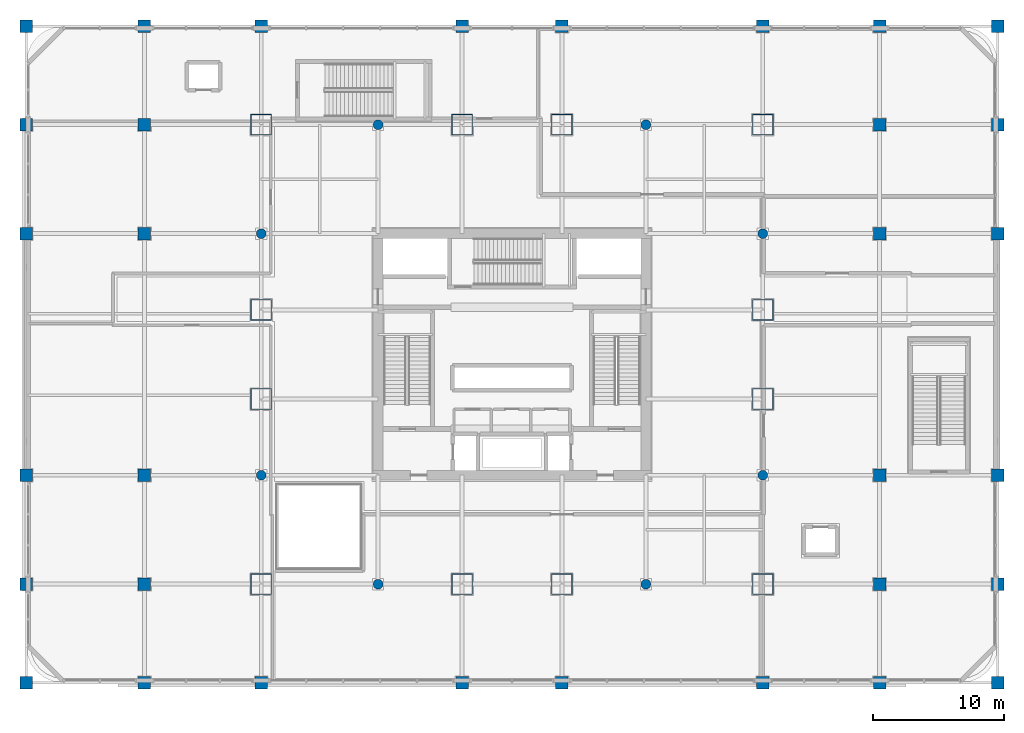
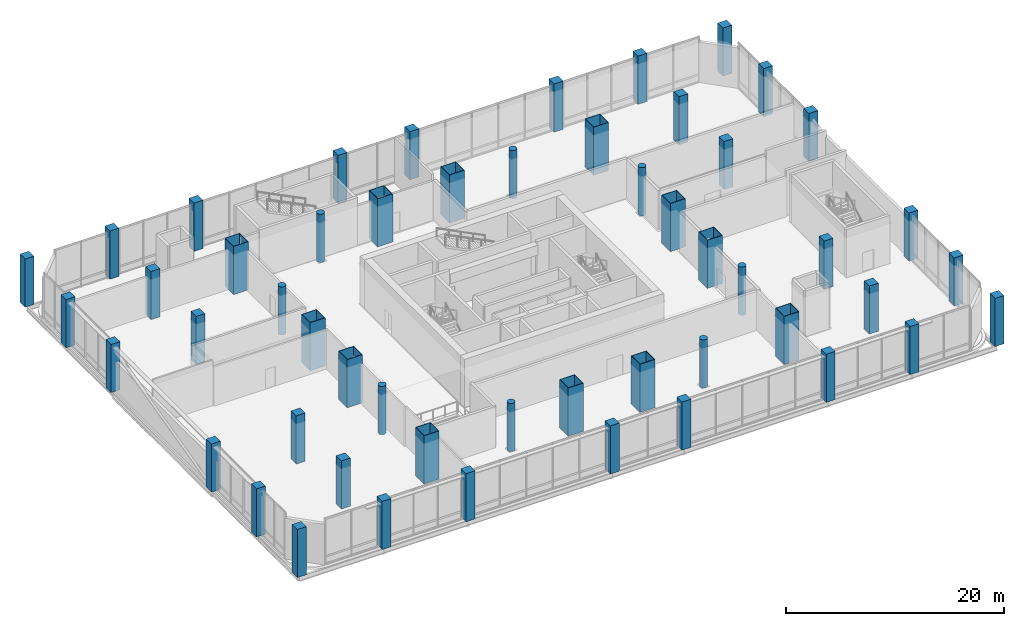
# One storey, part 1 of 39: 52 columns.
"""IFC4 building model written with IfcOpenShell, lengths in metres."""

from ifc_helpers import new_model, si_unit, direction, frame, origin, origin_2d, place, context, subcontext, project, spatial, rectangle, hollow_rectangle, circle, extrude, material, material_profile, profile_set, type_object, element, save


model = new_model("IFC4")

# Units and contexts
model_context = context("Model", 3, precision=1e-05, world=origin(), true_north=direction((0.0, 1.0)))
body_context = subcontext(model_context, "Body", "Model", "MODEL_VIEW")
ifc_project = project(units=[si_unit("LENGTHUNIT", "METRE"), si_unit("AREAUNIT", "SQUARE_METRE"), si_unit("VOLUMEUNIT", "CUBIC_METRE"), si_unit("PLANEANGLEUNIT", "RADIAN"), si_unit("MASSUNIT", "GRAM", prefix="KILO")], contexts=[model_context])

# Site, building, storey
site_placement = place(None, origin())
site = spatial("IfcSite", under=ifc_project, at=site_placement, CompositionType="ELEMENT")
building_placement = place(site_placement, origin())
building = spatial("IfcBuilding", under=site, at=building_placement, Name="Punatoya Terracotta Tower", CompositionType="ELEMENT")
storey_placement = place(building_placement, frame((0.0, 0.0, 11.39990234375)))
storey = spatial("IfcBuildingStorey", under=building, at=storey_placement, Name="L02", CompositionType="ELEMENT", Elevation=11.39990234375)

# Columns
ifc_material_1 = material(Name="Steel S460", Category="steel")
ifc_material_profile_1 = material_profile(ifc_material_1, hollow_rectangle(XDim=1.60009765625, YDim=1.60009765625, WallThickness=0.050048828125, at=origin_2d()))
ifc_profile_set_1 = profile_set([ifc_material_profile_1], Name="Steel S460")
column_type_1 = type_object("IfcColumnType", Name="COL-MC-Z0", PredefinedType="COLUMN", material=ifc_profile_set_1)
for number, where, z_axis, x_axis, name in (
    (1, (-19.10009765625, -17.5, 0.0), (0.0, 0.0, 1.0), (1.0, 0.0, 0.0), "L02 Composite Mega-Column MC-01 (3-B)"),
    (2, (-3.800048828125, -17.5, 0.0), (0.0, 0.0, 1.0), (1.0, 0.0, 0.0), "L02 Composite Mega-Column MC-02 (5-B)"),
    (3, (3.800048828125, -17.5, 0.0), (0.0, 0.0, 1.0), (1.0, 0.0, 0.0), "L02 Composite Mega-Column MC-03 (7-B)"),
    (4, (19.10009765625, -17.5, 0.0), (0.0, 0.0, 1.0), (1.0, 0.0, 0.0), "L02 Composite Mega-Column MC-04 (9-B)"),
    (5, (19.10009765625, -3.39990234375, 0.0), (0.0, 0.0, 1.0), (1.0, 0.0, 0.0), "L02 Composite Mega-Column MC-05 (9-D)"),
    (6, (19.10009765625, 3.39990234375, 0.0), (0.0, 0.0, 1.0), (1.0, 0.0, 0.0), "L02 Composite Mega-Column MC-06 (9-E)"),
    (7, (19.10009765625, 17.5, 0.0), (0.0, 0.0, 1.0), (1.0, 0.0, 0.0), "L02 Composite Mega-Column MC-07 (9-G)"),
    (8, (3.800048828125, 17.5, 0.0), (0.0, 0.0, 1.0), (1.0, 0.0, 0.0), "L02 Composite Mega-Column MC-08 (7-G)"),
    (9, (-3.800048828125, 17.5, 0.0), (0.0, 0.0, 1.0), (1.0, 0.0, 0.0), "L02 Composite Mega-Column MC-09 (5-G)"),
    (10, (-19.10009765625, 17.5, 0.0), (0.0, 0.0, 1.0), (1.0, 0.0, 0.0), "L02 Composite Mega-Column MC-10 (3-G)"),
    (11, (-19.10009765625, 3.39990234375, 0.0), (0.0, 0.0, 1.0), (1.0, 0.0, 0.0), "L02 Composite Mega-Column MC-11 (3-E)"),
    (12, (-19.10009765625, -3.39990234375, 0.0), (0.0, 0.0, 1.0), (1.0, 0.0, 0.0), "L02 Composite Mega-Column MC-12 (3-D)"),
):
    element("IfcColumn", number, at=place(storey_placement, frame(where, z_axis=z_axis, x_axis=x_axis)), inside=storey, type_object=column_type_1, Name=name, PredefinedType="COLUMN", context=body_context, shape_type="SweptSolid", body=[
        extrude(hollow_rectangle(XDim=1.60009765625, YDim=1.60009765625, WallThickness=0.050048828125, at=origin_2d()), origin(), (0.0, 0.0, 1.0), 5.400146484375),
    ])
ifc_material_2 = material(Name="Concrete C50/60", Category="concrete")
ifc_material_profile_2 = material_profile(ifc_material_2, circle(Radius=0.375, at=origin_2d()))
ifc_profile_set_2 = profile_set([ifc_material_profile_2], Name="Concrete C50/60")
column_type_2 = type_object("IfcColumnType", Name="COL-PIL-750", PredefinedType="PILASTER", material=ifc_profile_set_2)
for number, where, z_axis, x_axis, name in (
    (13, (-10.199951171875, -17.5, 0.0), (0.0, 0.0, 1.0), (1.0, 0.0, 0.0), "L02 Spine Arcade Pilaster PIL-01"),
    (14, (10.199951171875, -17.5, 0.0), (0.0, 0.0, 1.0), (1.0, 0.0, 0.0), "L02 Spine Arcade Pilaster PIL-02"),
    (15, (-10.199951171875, 17.5, 0.0), (0.0, 0.0, 1.0), (1.0, 0.0, 0.0), "L02 Spine Arcade Pilaster PIL-03"),
    (16, (10.199951171875, 17.5, 0.0), (0.0, 0.0, 1.0), (1.0, 0.0, 0.0), "L02 Spine Arcade Pilaster PIL-04"),
    (17, (-19.10009765625, -9.199951171875, 0.0), (0.0, 0.0, 1.0), (1.0, 0.0, 0.0), "L02 Spine Arcade Pilaster PIL-05"),
    (18, (19.10009765625, -9.199951171875, 0.0), (0.0, 0.0, 1.0), (1.0, 0.0, 0.0), "L02 Spine Arcade Pilaster PIL-06"),
    (19, (-19.10009765625, 9.199951171875, 0.0), (0.0, 0.0, 1.0), (1.0, 0.0, 0.0), "L02 Spine Arcade Pilaster PIL-07"),
    (20, (19.10009765625, 9.199951171875, 0.0), (0.0, 0.0, 1.0), (1.0, 0.0, 0.0), "L02 Spine Arcade Pilaster PIL-08"),
):
    element("IfcColumn", number, at=place(storey_placement, frame(where, z_axis=z_axis, x_axis=x_axis)), inside=storey, type_object=column_type_2, Name=name, PredefinedType="PILASTER", context=body_context, shape_type="SweptSolid", body=[
        extrude(circle(Radius=0.375, at=origin_2d()), origin(), (0.0, 0.0, 1.0), 5.400146484375),
    ])
ifc_material_3 = material(Name="Concrete C60/75", Category="concrete")
ifc_material_profile_3 = material_profile(ifc_material_3, rectangle(XDim=0.949951171875, YDim=0.949951171875, at=origin_2d()))
ifc_profile_set_3 = profile_set([ifc_material_profile_3], Name="Concrete C60/75")
column_type_3 = type_object("IfcColumnType", Name="COL-RC-950", PredefinedType="COLUMN", material=ifc_profile_set_3)
for number, where, z_axis, x_axis, name in (
    (21, (-37.0, -25.0, 0.0), (0.0, 0.0, 1.0), (1.0, 0.0, 0.0), "L02 Podium Column PC-01 (1-A)"),
    (22, (-28.0, -25.0, 0.0), (0.0, 0.0, 1.0), (1.0, 0.0, 0.0), "L02 Podium Column PC-02 (2-A)"),
    (23, (-19.10009765625, -25.0, 0.0), (0.0, 0.0, 1.0), (1.0, 0.0, 0.0), "L02 Podium Column PC-03 (3-A)"),
    (24, (-3.800048828125, -25.0, 0.0), (0.0, 0.0, 1.0), (1.0, 0.0, 0.0), "L02 Podium Column PC-04 (5-A)"),
    (25, (3.800048828125, -25.0, 0.0), (0.0, 0.0, 1.0), (1.0, 0.0, 0.0), "L02 Podium Column PC-05 (7-A)"),
    (26, (19.10009765625, -25.0, 0.0), (0.0, 0.0, 1.0), (1.0, 0.0, 0.0), "L02 Podium Column PC-06 (9-A)"),
    (27, (28.0, -25.0, 0.0), (0.0, 0.0, 1.0), (1.0, 0.0, 0.0), "L02 Podium Column PC-07 (10-A)"),
    (28, (37.0, -25.0, 0.0), (0.0, 0.0, 1.0), (1.0, 0.0, 0.0), "L02 Podium Column PC-08 (11-A)"),
    (29, (-37.0, -17.5, 0.0), (0.0, 0.0, 1.0), (1.0, 0.0, 0.0), "L02 Podium Column PC-09 (1-B)"),
    (30, (-28.0, -17.5, 0.0), (0.0, 0.0, 1.0), (1.0, 0.0, 0.0), "L02 Podium Column PC-10 (2-B)"),
    (31, (28.0, -17.5, 0.0), (0.0, 0.0, 1.0), (1.0, 0.0, 0.0), "L02 Podium Column PC-11 (10-B)"),
    (32, (37.0, -17.5, 0.0), (0.0, 0.0, 1.0), (1.0, 0.0, 0.0), "L02 Podium Column PC-12 (11-B)"),
    (33, (-37.0, -9.199951171875, 0.0), (0.0, 0.0, 1.0), (1.0, 0.0, 0.0), "L02 Podium Column PC-13 (1-C)"),
    (34, (37.0, -9.199951171875, 0.0), (0.0, 0.0, 1.0), (1.0, 0.0, 0.0), "L02 Podium Column PC-14 (11-C)"),
    (35, (-37.0, 9.199951171875, 0.0), (0.0, 0.0, 1.0), (1.0, 0.0, 0.0), "L02 Podium Column PC-15 (1-F)"),
    (36, (37.0, 9.199951171875, 0.0), (0.0, 0.0, 1.0), (1.0, 0.0, 0.0), "L02 Podium Column PC-16 (11-F)"),
    (37, (-37.0, 17.5, 0.0), (0.0, 0.0, 1.0), (1.0, 0.0, 0.0), "L02 Podium Column PC-17 (1-G)"),
    (38, (-28.0, 17.5, 0.0), (0.0, 0.0, 1.0), (1.0, 0.0, 0.0), "L02 Podium Column PC-18 (2-G)"),
    (39, (28.0, 17.5, 0.0), (0.0, 0.0, 1.0), (1.0, 0.0, 0.0), "L02 Podium Column PC-19 (10-G)"),
    (40, (37.0, 17.5, 0.0), (0.0, 0.0, 1.0), (1.0, 0.0, 0.0), "L02 Podium Column PC-20 (11-G)"),
    (41, (-37.0, 25.0, 0.0), (0.0, 0.0, 1.0), (1.0, 0.0, 0.0), "L02 Podium Column PC-21 (1-H)"),
    (42, (-28.0, 25.0, 0.0), (0.0, 0.0, 1.0), (1.0, 0.0, 0.0), "L02 Podium Column PC-22 (2-H)"),
    (43, (-19.10009765625, 25.0, 0.0), (0.0, 0.0, 1.0), (1.0, 0.0, 0.0), "L02 Podium Column PC-23 (3-H)"),
    (44, (-3.800048828125, 25.0, 0.0), (0.0, 0.0, 1.0), (1.0, 0.0, 0.0), "L02 Podium Column PC-24 (5-H)"),
    (45, (3.800048828125, 25.0, 0.0), (0.0, 0.0, 1.0), (1.0, 0.0, 0.0), "L02 Podium Column PC-25 (7-H)"),
    (46, (19.10009765625, 25.0, 0.0), (0.0, 0.0, 1.0), (1.0, 0.0, 0.0), "L02 Podium Column PC-26 (9-H)"),
    (47, (28.0, 25.0, 0.0), (0.0, 0.0, 1.0), (1.0, 0.0, 0.0), "L02 Podium Column PC-27 (10-H)"),
    (48, (37.0, 25.0, 0.0), (0.0, 0.0, 1.0), (1.0, 0.0, 0.0), "L02 Podium Column PC-28 (11-H)"),
    (49, (-28.0, -9.199951171875, 0.0), (0.0, 0.0, 1.0), (1.0, 0.0, 0.0), "L02 Podium Column PC-29 (2-C)"),
    (50, (-28.0, 9.199951171875, 0.0), (0.0, 0.0, 1.0), (1.0, 0.0, 0.0), "L02 Podium Column PC-30 (2-F)"),
    (51, (28.0, -9.199951171875, 0.0), (0.0, 0.0, 1.0), (1.0, 0.0, 0.0), "L02 Podium Column PC-31 (10-C)"),
    (52, (28.0, 9.199951171875, 0.0), (0.0, 0.0, 1.0), (1.0, 0.0, 0.0), "L02 Podium Column PC-32 (10-F)"),
):
    element("IfcColumn", number, at=place(storey_placement, frame(where, z_axis=z_axis, x_axis=x_axis)), inside=storey, type_object=column_type_3, Name=name, PredefinedType="COLUMN", context=body_context, shape_type="SweptSolid", body=[
        extrude(rectangle(XDim=0.949951171875, YDim=0.949951171875, at=origin_2d()), origin(), (0.0, 0.0, 1.0), 5.400146484375),
    ])

save(model, "model.ifc")
